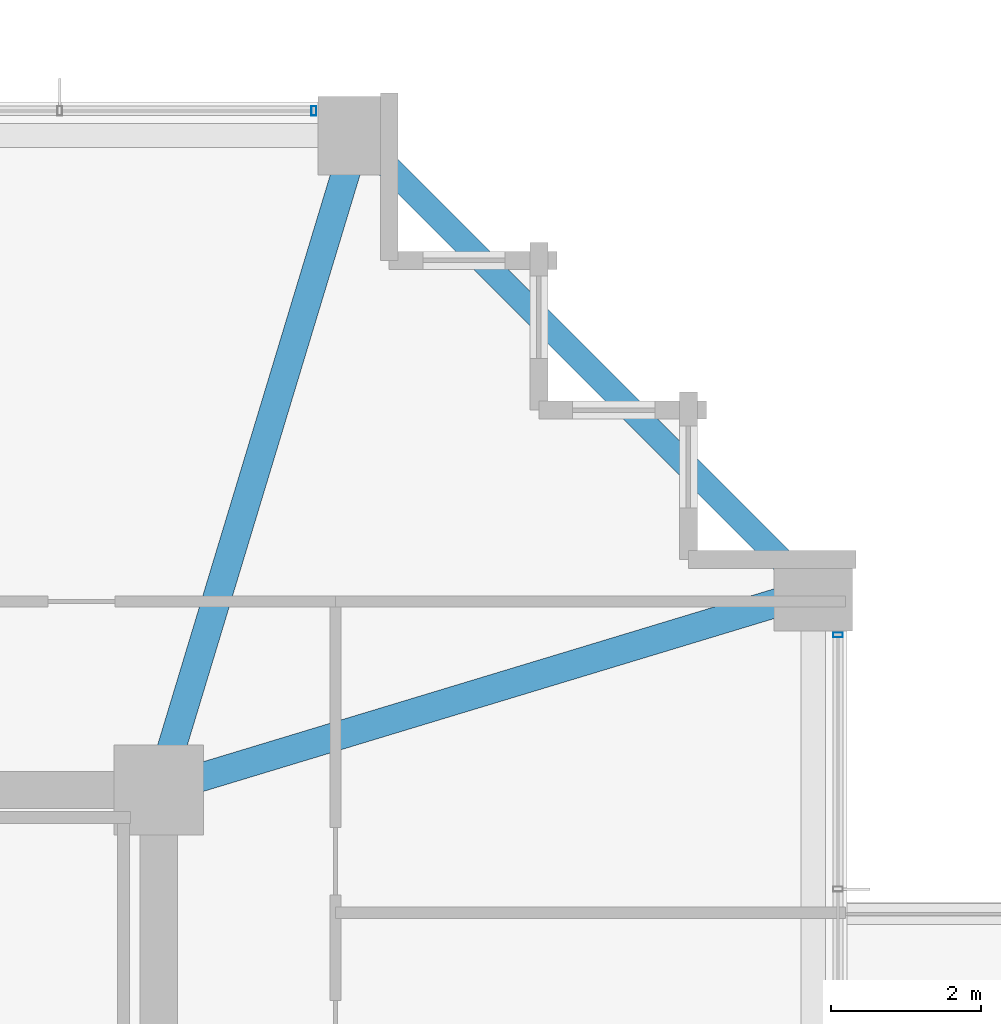
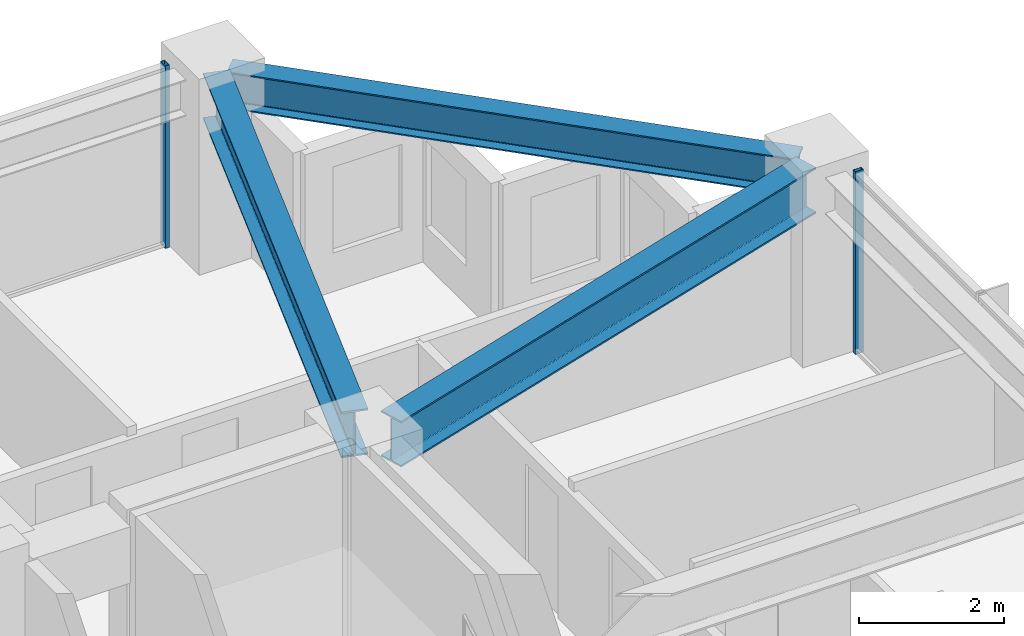
# One storey, part 25 of 38: 3 beams, 2 members, 2 elements without a shape of their own.
"""IFC4 building model written with IfcOpenShell, lengths in metres."""

from ifc_helpers import new_model, si_unit, direction, frame, origin, origin_2d, place, context, subcontext, project, spatial, hollow_rectangle, i_section, extrude, material, material_profile, profile_set, type_object, element, aggregate, save


model = new_model("IFC4")

# Units and contexts
model_context = context("Model", 3, precision=1e-05, world=origin(), true_north=direction((0.0, 1.0)))
body_context = subcontext(model_context, "Body", "Model", "MODEL_VIEW")
ifc_project = project(units=[si_unit("LENGTHUNIT", "METRE"), si_unit("AREAUNIT", "SQUARE_METRE"), si_unit("VOLUMEUNIT", "CUBIC_METRE"), si_unit("PLANEANGLEUNIT", "RADIAN"), si_unit("MASSUNIT", "GRAM", prefix="KILO")], contexts=[model_context])

# Site, building, storey
site_placement = place(None, origin())
site = spatial("IfcSite", under=ifc_project, at=site_placement, CompositionType="ELEMENT")
building_placement = place(site_placement, origin())
building = spatial("IfcBuilding", under=site, at=building_placement, Name="Kolvaren Belvedere", CompositionType="ELEMENT")
storey_placement = place(building_placement, frame((0.0, 0.0, 121.699951171875)))
storey = spatial("IfcBuildingStorey", under=building, at=storey_placement, Name="L35", CompositionType="ELEMENT", Elevation=121.699951171875)

# Beams
ifc_material_1 = material(Name="Structural steel ASTM A992 Grade 50", Category="steel")
ifc_material_profile_1 = material_profile(ifc_material_1, i_section(OverallWidth=0.381103515625, OverallDepth=0.77294921875, WebThickness=0.0166015625, FlangeThickness=0.027099609375, FilletRadius=0.02392578125, at=origin_2d()), Name="W30X173")
ifc_profile_set_1 = profile_set([ifc_material_profile_1], Name="Structural steel ASTM A992 Grade 50")
beam_type_1 = type_object("IfcBeamType", Name="BM-GIRD-W30X173", PredefinedType="BEAM", material=ifc_profile_set_1)
for number, where, z_axis, x_axis, name in (
    (1, (10.059326171875, 10.426513671875, 2.693603515625), (0.289858652454, 0.957069465398, 0.0), (-0.957069465398, 0.289858652454, 0.0), "L35 Corner Core-to-Perimeter Girder CC3-N4"),
    (2, (10.426513671875, 10.059326171875, 2.693603515625), (0.957069465398, 0.289858652454, 0.0), (-0.289858652454, 0.957069465398, 0.0), "L35 Corner Core-to-Perimeter Girder CC3-E4"),
):
    element("IfcBeam", number, at=place(storey_placement, frame(where, z_axis=z_axis, x_axis=x_axis)), inside=storey, type_object=beam_type_1, Name=name, PredefinedType="BEAM", context=body_context, shape_type="SweptSolid", body=[
        extrude(i_section(OverallWidth=0.381103515625, OverallDepth=0.77294921875, WebThickness=0.0166015625, FlangeThickness=0.027099609375, FilletRadius=0.02392578125, at=origin_2d()), origin(), (0.0, 0.0, 1.0), 8.38232421875),
    ])
ifc_material_2 = material(Name="Structural steel ASTM A992 Grade 50", Category="steel")
ifc_material_profile_2 = material_profile(ifc_material_2, i_section(OverallWidth=0.324951171875, OverallDepth=0.615966796875, WebThickness=0.013916015625, FlangeThickness=0.021484375, FilletRadius=0.02001953125, at=origin_2d()), Name="W24X117")
ifc_profile_set_2 = profile_set([ifc_material_profile_2], Name="Structural steel ASTM A992 Grade 50")
beam_type_2 = type_object("IfcBeamType", Name="BM-SPAN-W24X117", PredefinedType="SPANDREL", material=ifc_profile_set_2)
beam_placement = place(storey_placement, frame((18.48291015625, 12.717041015625, 2.77197265625), z_axis=(-0.707106781187, 0.707106781187, 0.0), x_axis=(-0.707106781187, -0.707106781187, 0.0)))
element("IfcBeam", 3, at=beam_placement, inside=storey, type_object=beam_type_2, Name="L35 Perimeter Spandrel E4-N4", PredefinedType="SPANDREL", context=body_context, shape_type="SweptSolid", body=[
    extrude(i_section(OverallWidth=0.324951171875, OverallDepth=0.615966796875, WebThickness=0.013916015625, FlangeThickness=0.021484375, FilletRadius=0.02001953125, at=origin_2d()), origin(), (0.0, 0.0, 1.0), 8.154052734375),
])

# Curtain wall, member
ifc_material_3 = material(Name="Anodised pale-metal aluminium AA 6063-T6", Category="aluminium")
curtain_wall_type = type_object("IfcCurtainWallType", Name="CW-Z3-WAIST", PredefinedType="NOTDEFINED", material=ifc_material_3)
curtain_wall_1_placement = place(storey_placement, origin())
curtain_wall_1 = element("IfcCurtainWall", 4, at=curtain_wall_1_placement, inside=storey, type_object=curtain_wall_type, Name="L35 Unitised Curtain Wall FCW-L35-E1-B1", PredefinedType="NOTDEFINED")
ifc_material_4 = material(Name="Anodised pale-metal aluminium AA 6063-T6", Category="aluminium")
ifc_material_profile_3 = material_profile(ifc_material_4, hollow_rectangle(XDim=0.06494140625, YDim=0.1298828125, WallThickness=0.00390625, at=origin_2d()), Name="ALU-MUL-130X65")
ifc_profile_set_3 = profile_set([ifc_material_profile_3], Name="Anodised pale-metal aluminium AA 6063-T6")
member_type = type_object("IfcMemberType", Name="CW-MUL-130", PredefinedType="MULLION", material=ifc_profile_set_3)
member_1_placement = place(storey_placement, frame((18.97998046875, 11.972412109375, 0.0), z_axis=(0.0, 0.0, 1.0), x_axis=(0.0, 1.0, 0.0)))
member_1 = element("IfcMember", 5, at=member_1_placement, type_object=member_type, Name="FCW-L35-E1-B1 Unitised Mullion 1", PredefinedType="MULLION", context=body_context, shape_type="SweptSolid", body=[
    extrude(hollow_rectangle(XDim=0.06494140625, YDim=0.1298828125, WallThickness=0.00390625, at=origin_2d()), origin(), (0.0, 0.0, 1.0), 3.080078125),
])
aggregate(curtain_wall_1, [member_1])

curtain_wall_2_placement = place(storey_placement, origin())
curtain_wall_2 = element("IfcCurtainWall", 6, at=curtain_wall_2_placement, inside=storey, type_object=curtain_wall_type, Name="L35 Unitised Curtain Wall FCW-L35-N-B3", PredefinedType="NOTDEFINED")
member_2_placement = place(storey_placement, frame((11.972412109375, 18.97998046875, 0.0), z_axis=(0.0, 0.0, 1.0), x_axis=(1.0, 0.0, 0.0)))
member_2 = element("IfcMember", 7, at=member_2_placement, type_object=member_type, Name="FCW-L35-N-B3 Unitised Mullion 3", PredefinedType="MULLION", context=body_context, shape_type="SweptSolid", body=[
    extrude(hollow_rectangle(XDim=0.06494140625, YDim=0.1298828125, WallThickness=0.00390625, at=origin_2d()), origin(), (0.0, 0.0, 1.0), 3.080078125),
])
aggregate(curtain_wall_2, [member_2])

save(model, "model.ifc")
